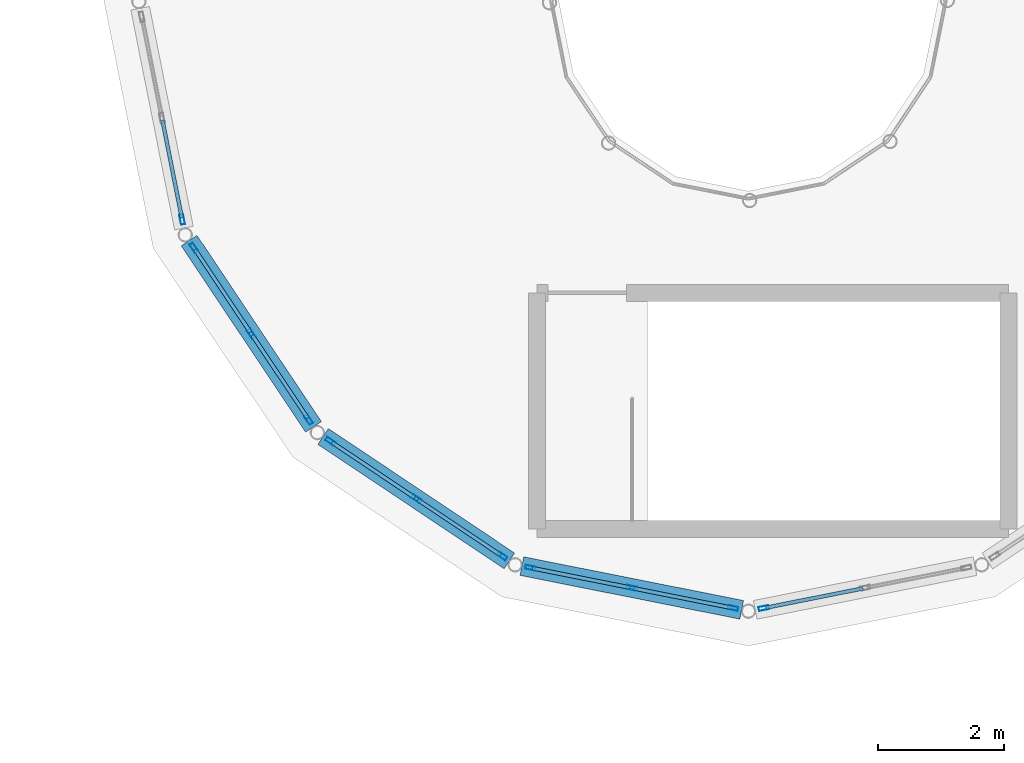
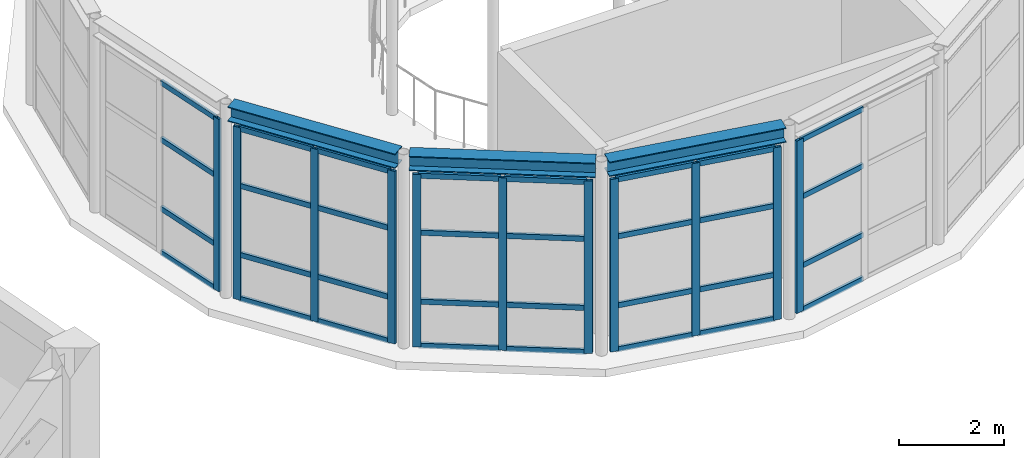
# One storey, part 25 of 80: 43 members, 3 beams, 5 elements without a shape of their own.
"""IFC4 building model written with IfcOpenShell, lengths in metres."""

from ifc_helpers import new_model, si_unit, direction, frame, origin, origin_2d, place, context, subcontext, project, spatial, hollow_rectangle, i_section, extrude, material, layer, layer_set, material_profile, profile_set, type_object, element, aggregate, save


model = new_model("IFC4")

# Units and contexts
model_context = context("Model", 3, precision=1e-05, world=origin(), true_north=direction((0.0, 1.0)))
body_context = subcontext(model_context, "Body", "Model", "MODEL_VIEW")
ifc_project = project(units=[si_unit("LENGTHUNIT", "METRE"), si_unit("AREAUNIT", "SQUARE_METRE"), si_unit("VOLUMEUNIT", "CUBIC_METRE"), si_unit("PLANEANGLEUNIT", "RADIAN"), si_unit("MASSUNIT", "GRAM", prefix="KILO")], contexts=[model_context])

# Site, building, storey
site_placement = place(None, origin())
site = spatial("IfcSite", under=ifc_project, at=site_placement, CompositionType="ELEMENT")
building_placement = place(site_placement, origin())
building = spatial("IfcBuilding", under=site, at=building_placement, Name="Kharisveld Research Institute", CompositionType="ELEMENT")
storey_placement = place(building_placement, frame((0.0, 0.0, 5.10009765625)))
storey = spatial("IfcBuildingStorey", under=building, at=storey_placement, Name="L01", CompositionType="ELEMENT", Elevation=5.10009765625)

# Beams
ifc_material_1 = material(Name="Steel S355JR", Category="steel")
ifc_material_profile_1 = material_profile(ifc_material_1, i_section(OverallWidth=0.300048828125, OverallDepth=0.340087890625, WebThickness=0.011962890625, FlangeThickness=0.021484375, at=origin_2d()))
ifc_profile_set_1 = profile_set([ifc_material_profile_1], Name="Steel S355JR")
beam_type = type_object("IfcBeamType", Name="BM_ST_HEA300", PredefinedType="BEAM", material=ifc_profile_set_1)
for number, where, z_axis, x_axis, name in (
    (1, (50.6455078125, 47.01611328125, 4.329833984375), (0.555510185735, -0.831509731479, 0.0), (0.831509731479, 0.555510185735, 0.0), "BM:V6:L01:RING09"),
    (2, (52.767578125, 43.91552734375, 4.329833984375), (0.831456681365, -0.555589585047, 0.0), (0.555589585047, 0.831456681365, 0.0), "BM:V6:L01:RING10"),
    (3, (55.91455078125, 41.86328125, 4.329833984375), (0.980781401852, -0.195109819798, 0.0), (0.195109819798, 0.980781401852, 0.0), "BM:V6:L01:RING11"),
):
    element("IfcBeam", number, at=place(storey_placement, frame(where, z_axis=z_axis, x_axis=x_axis)), inside=storey, type_object=beam_type, Name=name, PredefinedType="BEAM", context=body_context, shape_type="SweptSolid", body=[
        extrude(i_section(OverallWidth=0.300048828125, OverallDepth=0.340087890625, WebThickness=0.011962890625, FlangeThickness=0.021484375, at=origin_2d()), origin(), (0.0, 0.0, 1.0), 3.546142578125),
    ])

# Curtain wall, member
ifc_material_2 = material(Name="Thermally Broken Aluminium Curtain Wall", Category="aluminium")
ifc_layer_1 = layer(ifc_material_2, 0.159912109375)
ifc_layer_set_1 = layer_set([ifc_layer_1], Name="CW_SYS_03")
curtain_wall_type_1 = type_object("IfcCurtainWallType", Name="CW_SYS_03", PredefinedType="NOTDEFINED", material=ifc_layer_set_1)
curtain_wall_1_placement = place(storey_placement, origin())
curtain_wall_1 = element("IfcCurtainWall", 4, at=curtain_wall_1_placement, inside=storey, type_object=curtain_wall_type_1, Name="CW:V6:L01:CHORD08", PredefinedType="NOTDEFINED")
ifc_material_3 = material(Name="Anodised Aluminium AW-6063-T6", Category="aluminium")
ifc_material_profile_2 = material_profile(ifc_material_3, hollow_rectangle(XDim=0.06494140625, YDim=0.159912109375, WallThickness=0.00390625, at=origin_2d()))
ifc_profile_set_2 = profile_set([ifc_material_profile_2], Name="Anodised Aluminium AW-6063-T6")
member_type_1 = type_object("IfcMemberType", Name="CW_MUL_160", PredefinedType="MULLION", material=ifc_profile_set_2)
member_1_placement = place(storey_placement, frame((50.536376953125, 47.349853515625, 0.0), z_axis=(0.0, 0.0, 1.0), x_axis=(-0.980785199106, -0.195090730724, 0.0)))
member_1 = element("IfcMember", 5, at=member_1_placement, type_object=member_type_1, Name="CW-03 mullion 1", PredefinedType="MULLION", context=body_context, shape_type="SweptSolid", body=[
    extrude(hollow_rectangle(XDim=0.06494140625, YDim=0.159912109375, WallThickness=0.00390625, at=origin_2d()), origin(), (0.0, 0.0, 1.0), 4.0),
])

# Curtain wall, members
ifc_material_4 = material(Name="Thermally Broken Aluminium Curtain Wall", Category="aluminium")
ifc_layer_2 = layer(ifc_material_4, 0.159912109375)
ifc_layer_set_2 = layer_set([ifc_layer_2], Name="CW_SYS_04")
curtain_wall_type_2 = type_object("IfcCurtainWallType", Name="CW_SYS_04", PredefinedType="NOTDEFINED", material=ifc_layer_set_2)
curtain_wall_2_placement = place(storey_placement, origin())
curtain_wall_2 = element("IfcCurtainWall", 6, at=curtain_wall_2_placement, inside=storey, type_object=curtain_wall_type_2, Name="CW:V6:L01:CHORD09", PredefinedType="NOTDEFINED")
member_2_placement = place(storey_placement, frame((52.538818359375, 44.18212890625, 0.0), z_axis=(0.0, 0.0, 1.0), x_axis=(-0.831469694616, -0.555570109828, 0.0)))
member_2 = element("IfcMember", 7, at=member_2_placement, type_object=member_type_1, Name="CW-04 mullion 1", PredefinedType="MULLION", context=body_context, shape_type="SweptSolid", body=[
    extrude(hollow_rectangle(XDim=0.06494140625, YDim=0.159912109375, WallThickness=0.00390625, at=origin_2d()), origin(), (0.0, 0.0, 1.0), 4.0),
])
member_3_placement = place(storey_placement, frame((51.63037109375, 45.541748046875, 0.0), z_axis=(0.0, 0.0, 1.0), x_axis=(-0.831469694616, -0.555570109828, 0.0)))
member_3 = element("IfcMember", 8, at=member_3_placement, type_object=member_type_1, Name="CW-04 mullion 2", PredefinedType="MULLION", context=body_context, shape_type="SweptSolid", body=[
    extrude(hollow_rectangle(XDim=0.06494140625, YDim=0.159912109375, WallThickness=0.00390625, at=origin_2d()), origin(), (0.0, 0.0, 1.0), 4.0),
])
member_4_placement = place(storey_placement, frame((50.72216796875, 46.9013671875, 0.0), z_axis=(0.0, 0.0, 1.0), x_axis=(-0.831469694616, -0.555570109828, 0.0)))
member_4 = element("IfcMember", 9, at=member_4_placement, type_object=member_type_1, Name="CW-04 mullion 3", PredefinedType="MULLION", context=body_context, shape_type="SweptSolid", body=[
    extrude(hollow_rectangle(XDim=0.06494140625, YDim=0.159912109375, WallThickness=0.00390625, at=origin_2d()), origin(), (0.0, 0.0, 1.0), 4.0),
])

ifc_material_5 = material(Name="Thermally Broken Aluminium Curtain Wall", Category="aluminium")
ifc_layer_3 = layer(ifc_material_5, 0.159912109375)
ifc_layer_set_3 = layer_set([ifc_layer_3], Name="CW_SYS_05")
curtain_wall_type_3 = type_object("IfcCurtainWallType", Name="CW_SYS_05", PredefinedType="NOTDEFINED", material=ifc_layer_set_3)
curtain_wall_3_placement = place(storey_placement, origin())
curtain_wall_3 = element("IfcCurtainWall", 10, at=curtain_wall_3_placement, inside=storey, type_object=curtain_wall_type_3, Name="CW:V6:L01:CHORD10", PredefinedType="NOTDEFINED")
member_5_placement = place(storey_placement, frame((55.601318359375, 42.02197265625, 0.0), z_axis=(0.0, 0.0, 1.0), x_axis=(-0.555570109828, -0.831469694616, 0.0)))
member_5 = element("IfcMember", 11, at=member_5_placement, type_object=member_type_1, Name="CW-05 mullion 1", PredefinedType="MULLION", context=body_context, shape_type="SweptSolid", body=[
    extrude(hollow_rectangle(XDim=0.06494140625, YDim=0.159912109375, WallThickness=0.00390625, at=origin_2d()), origin(), (0.0, 0.0, 1.0), 4.0),
])
member_6_placement = place(storey_placement, frame((54.24169921875, 42.930419921875, 0.0), z_axis=(0.0, 0.0, 1.0), x_axis=(-0.555570109828, -0.831469694616, 0.0)))
member_6 = element("IfcMember", 12, at=member_6_placement, type_object=member_type_1, Name="CW-05 mullion 2", PredefinedType="MULLION", context=body_context, shape_type="SweptSolid", body=[
    extrude(hollow_rectangle(XDim=0.06494140625, YDim=0.159912109375, WallThickness=0.00390625, at=origin_2d()), origin(), (0.0, 0.0, 1.0), 4.0),
])
member_7_placement = place(storey_placement, frame((52.88232421875, 43.8388671875, 0.0), z_axis=(0.0, 0.0, 1.0), x_axis=(-0.555570109828, -0.831469694616, 0.0)))
member_7 = element("IfcMember", 13, at=member_7_placement, type_object=member_type_1, Name="CW-05 mullion 3", PredefinedType="MULLION", context=body_context, shape_type="SweptSolid", body=[
    extrude(hollow_rectangle(XDim=0.06494140625, YDim=0.159912109375, WallThickness=0.00390625, at=origin_2d()), origin(), (0.0, 0.0, 1.0), 4.0),
])

ifc_material_6 = material(Name="Thermally Broken Aluminium Curtain Wall", Category="aluminium")
ifc_layer_4 = layer(ifc_material_6, 0.159912109375)
ifc_layer_set_4 = layer_set([ifc_layer_4], Name="CW_SYS_06")
curtain_wall_type_4 = type_object("IfcCurtainWallType", Name="CW_SYS_06", PredefinedType="NOTDEFINED", material=ifc_layer_set_4)
curtain_wall_4_placement = place(storey_placement, origin())
curtain_wall_4 = element("IfcCurtainWall", 14, at=curtain_wall_4_placement, inside=storey, type_object=curtain_wall_type_4, Name="CW:V6:L01:CHORD11", PredefinedType="NOTDEFINED")
member_8_placement = place(storey_placement, frame((59.25732421875, 41.1982421875, 0.0), z_axis=(0.0, 0.0, 1.0), x_axis=(-0.195090730724, -0.980785199106, 0.0)))
member_8 = element("IfcMember", 15, at=member_8_placement, type_object=member_type_1, Name="CW-06 mullion 1", PredefinedType="MULLION", context=body_context, shape_type="SweptSolid", body=[
    extrude(hollow_rectangle(XDim=0.06494140625, YDim=0.159912109375, WallThickness=0.00390625, at=origin_2d()), origin(), (0.0, 0.0, 1.0), 4.0),
])
member_9_placement = place(storey_placement, frame((57.653564453125, 41.517333984375, 0.0), z_axis=(0.0, 0.0, 1.0), x_axis=(-0.195090730724, -0.980785199106, 0.0)))
member_9 = element("IfcMember", 16, at=member_9_placement, type_object=member_type_1, Name="CW-06 mullion 2", PredefinedType="MULLION", context=body_context, shape_type="SweptSolid", body=[
    extrude(hollow_rectangle(XDim=0.06494140625, YDim=0.159912109375, WallThickness=0.00390625, at=origin_2d()), origin(), (0.0, 0.0, 1.0), 4.0),
])
member_10_placement = place(storey_placement, frame((56.0498046875, 41.836181640625, 0.0), z_axis=(0.0, 0.0, 1.0), x_axis=(-0.195090730724, -0.980785199106, 0.0)))
member_10 = element("IfcMember", 17, at=member_10_placement, type_object=member_type_1, Name="CW-06 mullion 3", PredefinedType="MULLION", context=body_context, shape_type="SweptSolid", body=[
    extrude(hollow_rectangle(XDim=0.06494140625, YDim=0.159912109375, WallThickness=0.00390625, at=origin_2d()), origin(), (0.0, 0.0, 1.0), 4.0),
])

# Curtain wall, member
ifc_material_7 = material(Name="Thermally Broken Aluminium Curtain Wall", Category="aluminium")
ifc_layer_5 = layer(ifc_material_7, 0.159912109375)
ifc_layer_set_5 = layer_set([ifc_layer_5], Name="CW_SYS_01")
curtain_wall_type_5 = type_object("IfcCurtainWallType", Name="CW_SYS_01", PredefinedType="NOTDEFINED", material=ifc_layer_set_5)
curtain_wall_5_placement = place(storey_placement, origin())
curtain_wall_5 = element("IfcCurtainWall", 18, at=curtain_wall_5_placement, inside=storey, type_object=curtain_wall_type_5, Name="CW:V6:L01:CHORD12", PredefinedType="NOTDEFINED")
member_11_placement = place(storey_placement, frame((59.74267578125, 41.1982421875, 0.0), z_axis=(0.0, 0.0, 1.0), x_axis=(0.195090730724, -0.980785199106, 0.0)))
member_11 = element("IfcMember", 19, at=member_11_placement, type_object=member_type_1, Name="CW-01 mullion 3", PredefinedType="MULLION", context=body_context, shape_type="SweptSolid", body=[
    extrude(hollow_rectangle(XDim=0.06494140625, YDim=0.159912109375, WallThickness=0.00390625, at=origin_2d()), origin(), (0.0, 0.0, 1.0), 4.0),
])

# Member
ifc_material_8 = material(Name="Anodised Aluminium AW-6063-T6", Category="aluminium")
ifc_material_profile_3 = material_profile(ifc_material_8, hollow_rectangle(XDim=0.06005859375, YDim=0.1201171875, WallThickness=0.00390625, at=origin_2d()))
ifc_profile_set_3 = profile_set([ifc_material_profile_3], Name="Anodised Aluminium AW-6063-T6")
member_type_2 = type_object("IfcMemberType", Name="CW_TRN_120", PredefinedType="USERDEFINED", material=ifc_profile_set_3)
member_12_placement = place(storey_placement, frame((50.530029296875, 47.3818359375, 0.02978515625), z_axis=(-0.195159086375, 0.980771599816, 0.0), x_axis=(-0.980771599816, -0.195159086375, 0.0)))
member_12 = element("IfcMember", 20, at=member_12_placement, type_object=member_type_2, Name="CW-03 transom 1.1", ObjectType="TRANSOM", PredefinedType="USERDEFINED", context=body_context, shape_type="SweptSolid", body=[
    extrude(hollow_rectangle(XDim=0.06005859375, YDim=0.1201171875, WallThickness=0.00390625, at=origin_2d()), origin(), (0.0, 0.0, 1.0), 1.570068359375),
])

member_13_placement = place(storey_placement, frame((50.530029296875, 47.3818359375, 1.0498046875), z_axis=(-0.195159086375, 0.980771599816, 0.0), x_axis=(-0.980771599816, -0.195159086375, 0.0)))
member_13 = element("IfcMember", 21, at=member_13_placement, type_object=member_type_2, Name="CW-03 transom 1.2", ObjectType="TRANSOM", PredefinedType="USERDEFINED", context=body_context, shape_type="SweptSolid", body=[
    extrude(hollow_rectangle(XDim=0.06005859375, YDim=0.1201171875, WallThickness=0.00390625, at=origin_2d()), origin(), (0.0, 0.0, 1.0), 1.570068359375),
])

member_14_placement = place(storey_placement, frame((50.530029296875, 47.3818359375, 2.64990234375), z_axis=(-0.195159086375, 0.980771599816, 0.0), x_axis=(-0.980771599816, -0.195159086375, 0.0)))
member_14 = element("IfcMember", 22, at=member_14_placement, type_object=member_type_2, Name="CW-03 transom 1.3", ObjectType="TRANSOM", PredefinedType="USERDEFINED", context=body_context, shape_type="SweptSolid", body=[
    extrude(hollow_rectangle(XDim=0.06005859375, YDim=0.1201171875, WallThickness=0.00390625, at=origin_2d()), origin(), (0.0, 0.0, 1.0), 1.570068359375),
])

member_15_placement = place(storey_placement, frame((50.530029296875, 47.3818359375, 3.969970703125), z_axis=(-0.195159086375, 0.980771599816, 0.0), x_axis=(-0.980771599816, -0.195159086375, 0.0)))
member_15 = element("IfcMember", 23, at=member_15_placement, type_object=member_type_2, Name="CW-03 transom 1.4", ObjectType="TRANSOM", PredefinedType="USERDEFINED", context=body_context, shape_type="SweptSolid", body=[
    extrude(hollow_rectangle(XDim=0.06005859375, YDim=0.1201171875, WallThickness=0.00390625, at=origin_2d()), origin(), (0.0, 0.0, 1.0), 1.570068359375),
])

aggregate(curtain_wall_1, [member_1, member_12, member_13, member_14, member_15])

member_16_placement = place(storey_placement, frame((52.520751953125, 44.209228515625, 0.02978515625), z_axis=(-0.555596981897, 0.831451738652, 0.0), x_axis=(-0.831451738652, -0.555596981897, 0.0)))
member_16 = element("IfcMember", 24, at=member_16_placement, type_object=member_type_2, Name="CW-04 transom 1.1", ObjectType="TRANSOM", PredefinedType="USERDEFINED", context=body_context, shape_type="SweptSolid", body=[
    extrude(hollow_rectangle(XDim=0.06005859375, YDim=0.1201171875, WallThickness=0.00390625, at=origin_2d()), origin(), (0.0, 0.0, 1.0), 1.570068359375),
])

member_17_placement = place(storey_placement, frame((52.520751953125, 44.209228515625, 1.0498046875), z_axis=(-0.555596981897, 0.831451738652, 0.0), x_axis=(-0.831451738652, -0.555596981897, 0.0)))
member_17 = element("IfcMember", 25, at=member_17_placement, type_object=member_type_2, Name="CW-04 transom 1.2", ObjectType="TRANSOM", PredefinedType="USERDEFINED", context=body_context, shape_type="SweptSolid", body=[
    extrude(hollow_rectangle(XDim=0.06005859375, YDim=0.1201171875, WallThickness=0.00390625, at=origin_2d()), origin(), (0.0, 0.0, 1.0), 1.570068359375),
])

member_18_placement = place(storey_placement, frame((52.520751953125, 44.209228515625, 2.64990234375), z_axis=(-0.555596981897, 0.831451738652, 0.0), x_axis=(-0.831451738652, -0.555596981897, 0.0)))
member_18 = element("IfcMember", 26, at=member_18_placement, type_object=member_type_2, Name="CW-04 transom 1.3", ObjectType="TRANSOM", PredefinedType="USERDEFINED", context=body_context, shape_type="SweptSolid", body=[
    extrude(hollow_rectangle(XDim=0.06005859375, YDim=0.1201171875, WallThickness=0.00390625, at=origin_2d()), origin(), (0.0, 0.0, 1.0), 1.570068359375),
])

member_19_placement = place(storey_placement, frame((52.520751953125, 44.209228515625, 3.969970703125), z_axis=(-0.555596981897, 0.831451738652, 0.0), x_axis=(-0.831451738652, -0.555596981897, 0.0)))
member_19 = element("IfcMember", 27, at=member_19_placement, type_object=member_type_2, Name="CW-04 transom 1.4", ObjectType="TRANSOM", PredefinedType="USERDEFINED", context=body_context, shape_type="SweptSolid", body=[
    extrude(hollow_rectangle(XDim=0.06005859375, YDim=0.1201171875, WallThickness=0.00390625, at=origin_2d()), origin(), (0.0, 0.0, 1.0), 1.570068359375),
])

member_20_placement = place(storey_placement, frame((51.612548828125, 45.56884765625, 0.02978515625), z_axis=(-0.555596981897, 0.831451738652, 0.0), x_axis=(-0.831451738652, -0.555596981897, 0.0)))
member_20 = element("IfcMember", 28, at=member_20_placement, type_object=member_type_2, Name="CW-04 transom 2.1", ObjectType="TRANSOM", PredefinedType="USERDEFINED", context=body_context, shape_type="SweptSolid", body=[
    extrude(hollow_rectangle(XDim=0.06005859375, YDim=0.1201171875, WallThickness=0.00390625, at=origin_2d()), origin(), (0.0, 0.0, 1.0), 1.570068359375),
])

member_21_placement = place(storey_placement, frame((51.612548828125, 45.56884765625, 1.0498046875), z_axis=(-0.555596981897, 0.831451738652, 0.0), x_axis=(-0.831451738652, -0.555596981897, 0.0)))
member_21 = element("IfcMember", 29, at=member_21_placement, type_object=member_type_2, Name="CW-04 transom 2.2", ObjectType="TRANSOM", PredefinedType="USERDEFINED", context=body_context, shape_type="SweptSolid", body=[
    extrude(hollow_rectangle(XDim=0.06005859375, YDim=0.1201171875, WallThickness=0.00390625, at=origin_2d()), origin(), (0.0, 0.0, 1.0), 1.570068359375),
])

member_22_placement = place(storey_placement, frame((51.612548828125, 45.56884765625, 2.64990234375), z_axis=(-0.555596981897, 0.831451738652, 0.0), x_axis=(-0.831451738652, -0.555596981897, 0.0)))
member_22 = element("IfcMember", 30, at=member_22_placement, type_object=member_type_2, Name="CW-04 transom 2.3", ObjectType="TRANSOM", PredefinedType="USERDEFINED", context=body_context, shape_type="SweptSolid", body=[
    extrude(hollow_rectangle(XDim=0.06005859375, YDim=0.1201171875, WallThickness=0.00390625, at=origin_2d()), origin(), (0.0, 0.0, 1.0), 1.570068359375),
])

member_23_placement = place(storey_placement, frame((51.612548828125, 45.56884765625, 3.969970703125), z_axis=(-0.555596981897, 0.831451738652, 0.0), x_axis=(-0.831451738652, -0.555596981897, 0.0)))
member_23 = element("IfcMember", 31, at=member_23_placement, type_object=member_type_2, Name="CW-04 transom 2.4", ObjectType="TRANSOM", PredefinedType="USERDEFINED", context=body_context, shape_type="SweptSolid", body=[
    extrude(hollow_rectangle(XDim=0.06005859375, YDim=0.1201171875, WallThickness=0.00390625, at=origin_2d()), origin(), (0.0, 0.0, 1.0), 1.570068359375),
])

aggregate(curtain_wall_2, [member_2, member_3, member_4, member_16, member_17, member_18, member_19, member_20, member_21, member_22, member_23])

member_24_placement = place(storey_placement, frame((55.57421875, 42.0400390625, 0.02978515625), z_axis=(-0.831451738652, 0.555596981897, 0.0), x_axis=(-0.555596981897, -0.831451738652, 0.0)))
member_24 = element("IfcMember", 32, at=member_24_placement, type_object=member_type_2, Name="CW-05 transom 1.1", ObjectType="TRANSOM", PredefinedType="USERDEFINED", context=body_context, shape_type="SweptSolid", body=[
    extrude(hollow_rectangle(XDim=0.06005859375, YDim=0.1201171875, WallThickness=0.00390625, at=origin_2d()), origin(), (0.0, 0.0, 1.0), 1.570068359375),
])

member_25_placement = place(storey_placement, frame((55.57421875, 42.0400390625, 1.0498046875), z_axis=(-0.831451738652, 0.555596981897, 0.0), x_axis=(-0.555596981897, -0.831451738652, 0.0)))
member_25 = element("IfcMember", 33, at=member_25_placement, type_object=member_type_2, Name="CW-05 transom 1.2", ObjectType="TRANSOM", PredefinedType="USERDEFINED", context=body_context, shape_type="SweptSolid", body=[
    extrude(hollow_rectangle(XDim=0.06005859375, YDim=0.1201171875, WallThickness=0.00390625, at=origin_2d()), origin(), (0.0, 0.0, 1.0), 1.570068359375),
])

member_26_placement = place(storey_placement, frame((55.57421875, 42.0400390625, 2.64990234375), z_axis=(-0.831451738652, 0.555596981897, 0.0), x_axis=(-0.555596981897, -0.831451738652, 0.0)))
member_26 = element("IfcMember", 34, at=member_26_placement, type_object=member_type_2, Name="CW-05 transom 1.3", ObjectType="TRANSOM", PredefinedType="USERDEFINED", context=body_context, shape_type="SweptSolid", body=[
    extrude(hollow_rectangle(XDim=0.06005859375, YDim=0.1201171875, WallThickness=0.00390625, at=origin_2d()), origin(), (0.0, 0.0, 1.0), 1.570068359375),
])

member_27_placement = place(storey_placement, frame((55.57421875, 42.0400390625, 3.969970703125), z_axis=(-0.831451738652, 0.555596981897, 0.0), x_axis=(-0.555596981897, -0.831451738652, 0.0)))
member_27 = element("IfcMember", 35, at=member_27_placement, type_object=member_type_2, Name="CW-05 transom 1.4", ObjectType="TRANSOM", PredefinedType="USERDEFINED", context=body_context, shape_type="SweptSolid", body=[
    extrude(hollow_rectangle(XDim=0.06005859375, YDim=0.1201171875, WallThickness=0.00390625, at=origin_2d()), origin(), (0.0, 0.0, 1.0), 1.570068359375),
])

member_28_placement = place(storey_placement, frame((54.21484375, 42.948486328125, 0.02978515625), z_axis=(-0.831499729939, 0.555525156147, 0.0), x_axis=(-0.555525156147, -0.831499729939, 0.0)))
member_28 = element("IfcMember", 36, at=member_28_placement, type_object=member_type_2, Name="CW-05 transom 2.1", ObjectType="TRANSOM", PredefinedType="USERDEFINED", context=body_context, shape_type="SweptSolid", body=[
    extrude(hollow_rectangle(XDim=0.06005859375, YDim=0.1201171875, WallThickness=0.00390625, at=origin_2d()), origin(), (0.0, 0.0, 1.0), 1.5703125),
])

member_29_placement = place(storey_placement, frame((54.21484375, 42.948486328125, 1.0498046875), z_axis=(-0.831499729939, 0.555525156147, 0.0), x_axis=(-0.555525156147, -0.831499729939, 0.0)))
member_29 = element("IfcMember", 37, at=member_29_placement, type_object=member_type_2, Name="CW-05 transom 2.2", ObjectType="TRANSOM", PredefinedType="USERDEFINED", context=body_context, shape_type="SweptSolid", body=[
    extrude(hollow_rectangle(XDim=0.06005859375, YDim=0.1201171875, WallThickness=0.00390625, at=origin_2d()), origin(), (0.0, 0.0, 1.0), 1.5703125),
])

member_30_placement = place(storey_placement, frame((54.21484375, 42.948486328125, 2.64990234375), z_axis=(-0.831499729939, 0.555525156147, 0.0), x_axis=(-0.555525156147, -0.831499729939, 0.0)))
member_30 = element("IfcMember", 38, at=member_30_placement, type_object=member_type_2, Name="CW-05 transom 2.3", ObjectType="TRANSOM", PredefinedType="USERDEFINED", context=body_context, shape_type="SweptSolid", body=[
    extrude(hollow_rectangle(XDim=0.06005859375, YDim=0.1201171875, WallThickness=0.00390625, at=origin_2d()), origin(), (0.0, 0.0, 1.0), 1.5703125),
])

member_31_placement = place(storey_placement, frame((54.21484375, 42.948486328125, 3.969970703125), z_axis=(-0.831499729939, 0.555525156147, 0.0), x_axis=(-0.555525156147, -0.831499729939, 0.0)))
member_31 = element("IfcMember", 39, at=member_31_placement, type_object=member_type_2, Name="CW-05 transom 2.4", ObjectType="TRANSOM", PredefinedType="USERDEFINED", context=body_context, shape_type="SweptSolid", body=[
    extrude(hollow_rectangle(XDim=0.06005859375, YDim=0.1201171875, WallThickness=0.00390625, at=origin_2d()), origin(), (0.0, 0.0, 1.0), 1.5703125),
])

aggregate(curtain_wall_3, [member_5, member_6, member_7, member_24, member_25, member_26, member_27, member_28, member_29, member_30, member_31])

member_32_placement = place(storey_placement, frame((59.225341796875, 41.20458984375, 0.02978515625), z_axis=(-0.980771599816, 0.195159086375, 0.0), x_axis=(-0.195159086375, -0.980771599816, 0.0)))
member_32 = element("IfcMember", 40, at=member_32_placement, type_object=member_type_2, Name="CW-06 transom 1.1", ObjectType="TRANSOM", PredefinedType="USERDEFINED", context=body_context, shape_type="SweptSolid", body=[
    extrude(hollow_rectangle(XDim=0.06005859375, YDim=0.1201171875, WallThickness=0.00390625, at=origin_2d()), origin(), (0.0, 0.0, 1.0), 1.570068359375),
])

member_33_placement = place(storey_placement, frame((59.225341796875, 41.20458984375, 1.0498046875), z_axis=(-0.980771599816, 0.195159086375, 0.0), x_axis=(-0.195159086375, -0.980771599816, 0.0)))
member_33 = element("IfcMember", 41, at=member_33_placement, type_object=member_type_2, Name="CW-06 transom 1.2", ObjectType="TRANSOM", PredefinedType="USERDEFINED", context=body_context, shape_type="SweptSolid", body=[
    extrude(hollow_rectangle(XDim=0.06005859375, YDim=0.1201171875, WallThickness=0.00390625, at=origin_2d()), origin(), (0.0, 0.0, 1.0), 1.570068359375),
])

member_34_placement = place(storey_placement, frame((59.225341796875, 41.20458984375, 2.64990234375), z_axis=(-0.980771599816, 0.195159086375, 0.0), x_axis=(-0.195159086375, -0.980771599816, 0.0)))
member_34 = element("IfcMember", 42, at=member_34_placement, type_object=member_type_2, Name="CW-06 transom 1.3", ObjectType="TRANSOM", PredefinedType="USERDEFINED", context=body_context, shape_type="SweptSolid", body=[
    extrude(hollow_rectangle(XDim=0.06005859375, YDim=0.1201171875, WallThickness=0.00390625, at=origin_2d()), origin(), (0.0, 0.0, 1.0), 1.570068359375),
])

member_35_placement = place(storey_placement, frame((59.225341796875, 41.20458984375, 3.969970703125), z_axis=(-0.980771599816, 0.195159086375, 0.0), x_axis=(-0.195159086375, -0.980771599816, 0.0)))
member_35 = element("IfcMember", 43, at=member_35_placement, type_object=member_type_2, Name="CW-06 transom 1.4", ObjectType="TRANSOM", PredefinedType="USERDEFINED", context=body_context, shape_type="SweptSolid", body=[
    extrude(hollow_rectangle(XDim=0.06005859375, YDim=0.1201171875, WallThickness=0.00390625, at=origin_2d()), origin(), (0.0, 0.0, 1.0), 1.570068359375),
])

member_36_placement = place(storey_placement, frame((57.62158203125, 41.523681640625, 0.02978515625), z_axis=(-0.980801354025, 0.195009497058, 0.0), x_axis=(-0.195009497058, -0.980801354025, 0.0)))
member_36 = element("IfcMember", 44, at=member_36_placement, type_object=member_type_2, Name="CW-06 transom 2.1", ObjectType="TRANSOM", PredefinedType="USERDEFINED", context=body_context, shape_type="SweptSolid", body=[
    extrude(hollow_rectangle(XDim=0.06005859375, YDim=0.1201171875, WallThickness=0.00390625, at=origin_2d()), origin(), (0.0, 0.0, 1.0), 1.56982421875),
])

member_37_placement = place(storey_placement, frame((57.62158203125, 41.523681640625, 1.0498046875), z_axis=(-0.980801354025, 0.195009497058, 0.0), x_axis=(-0.195009497058, -0.980801354025, 0.0)))
member_37 = element("IfcMember", 45, at=member_37_placement, type_object=member_type_2, Name="CW-06 transom 2.2", ObjectType="TRANSOM", PredefinedType="USERDEFINED", context=body_context, shape_type="SweptSolid", body=[
    extrude(hollow_rectangle(XDim=0.06005859375, YDim=0.1201171875, WallThickness=0.00390625, at=origin_2d()), origin(), (0.0, 0.0, 1.0), 1.56982421875),
])

member_38_placement = place(storey_placement, frame((57.62158203125, 41.523681640625, 2.64990234375), z_axis=(-0.980801354025, 0.195009497058, 0.0), x_axis=(-0.195009497058, -0.980801354025, 0.0)))
member_38 = element("IfcMember", 46, at=member_38_placement, type_object=member_type_2, Name="CW-06 transom 2.3", ObjectType="TRANSOM", PredefinedType="USERDEFINED", context=body_context, shape_type="SweptSolid", body=[
    extrude(hollow_rectangle(XDim=0.06005859375, YDim=0.1201171875, WallThickness=0.00390625, at=origin_2d()), origin(), (0.0, 0.0, 1.0), 1.56982421875),
])

member_39_placement = place(storey_placement, frame((57.62158203125, 41.523681640625, 3.969970703125), z_axis=(-0.980801354025, 0.195009497058, 0.0), x_axis=(-0.195009497058, -0.980801354025, 0.0)))
member_39 = element("IfcMember", 47, at=member_39_placement, type_object=member_type_2, Name="CW-06 transom 2.4", ObjectType="TRANSOM", PredefinedType="USERDEFINED", context=body_context, shape_type="SweptSolid", body=[
    extrude(hollow_rectangle(XDim=0.06005859375, YDim=0.1201171875, WallThickness=0.00390625, at=origin_2d()), origin(), (0.0, 0.0, 1.0), 1.56982421875),
])

aggregate(curtain_wall_4, [member_8, member_9, member_10, member_32, member_33, member_34, member_35, member_36, member_37, member_38, member_39])

member_40_placement = place(storey_placement, frame((61.314453125, 41.510986328125, 0.02978515625), z_axis=(-0.980771599816, -0.195159086375, 0.0), x_axis=(0.195159086375, -0.980771599816, 0.0)))
member_40 = element("IfcMember", 48, at=member_40_placement, type_object=member_type_2, Name="CW-01 transom 2.1", ObjectType="TRANSOM", PredefinedType="USERDEFINED", context=body_context, shape_type="SweptSolid", body=[
    extrude(hollow_rectangle(XDim=0.06005859375, YDim=0.1201171875, WallThickness=0.00390625, at=origin_2d()), origin(), (0.0, 0.0, 1.0), 1.570068359375),
])

member_41_placement = place(storey_placement, frame((61.314453125, 41.510986328125, 1.0498046875), z_axis=(-0.980771599816, -0.195159086375, 0.0), x_axis=(0.195159086375, -0.980771599816, 0.0)))
member_41 = element("IfcMember", 49, at=member_41_placement, type_object=member_type_2, Name="CW-01 transom 2.2", ObjectType="TRANSOM", PredefinedType="USERDEFINED", context=body_context, shape_type="SweptSolid", body=[
    extrude(hollow_rectangle(XDim=0.06005859375, YDim=0.1201171875, WallThickness=0.00390625, at=origin_2d()), origin(), (0.0, 0.0, 1.0), 1.570068359375),
])

member_42_placement = place(storey_placement, frame((61.314453125, 41.510986328125, 2.64990234375), z_axis=(-0.980771599816, -0.195159086375, 0.0), x_axis=(0.195159086375, -0.980771599816, 0.0)))
member_42 = element("IfcMember", 50, at=member_42_placement, type_object=member_type_2, Name="CW-01 transom 2.3", ObjectType="TRANSOM", PredefinedType="USERDEFINED", context=body_context, shape_type="SweptSolid", body=[
    extrude(hollow_rectangle(XDim=0.06005859375, YDim=0.1201171875, WallThickness=0.00390625, at=origin_2d()), origin(), (0.0, 0.0, 1.0), 1.570068359375),
])

member_43_placement = place(storey_placement, frame((61.314453125, 41.510986328125, 3.969970703125), z_axis=(-0.980771599816, -0.195159086375, 0.0), x_axis=(0.195159086375, -0.980771599816, 0.0)))
member_43 = element("IfcMember", 51, at=member_43_placement, type_object=member_type_2, Name="CW-01 transom 2.4", ObjectType="TRANSOM", PredefinedType="USERDEFINED", context=body_context, shape_type="SweptSolid", body=[
    extrude(hollow_rectangle(XDim=0.06005859375, YDim=0.1201171875, WallThickness=0.00390625, at=origin_2d()), origin(), (0.0, 0.0, 1.0), 1.570068359375),
])

aggregate(curtain_wall_5, [member_11, member_40, member_41, member_42, member_43])

save(model, "model.ifc")
